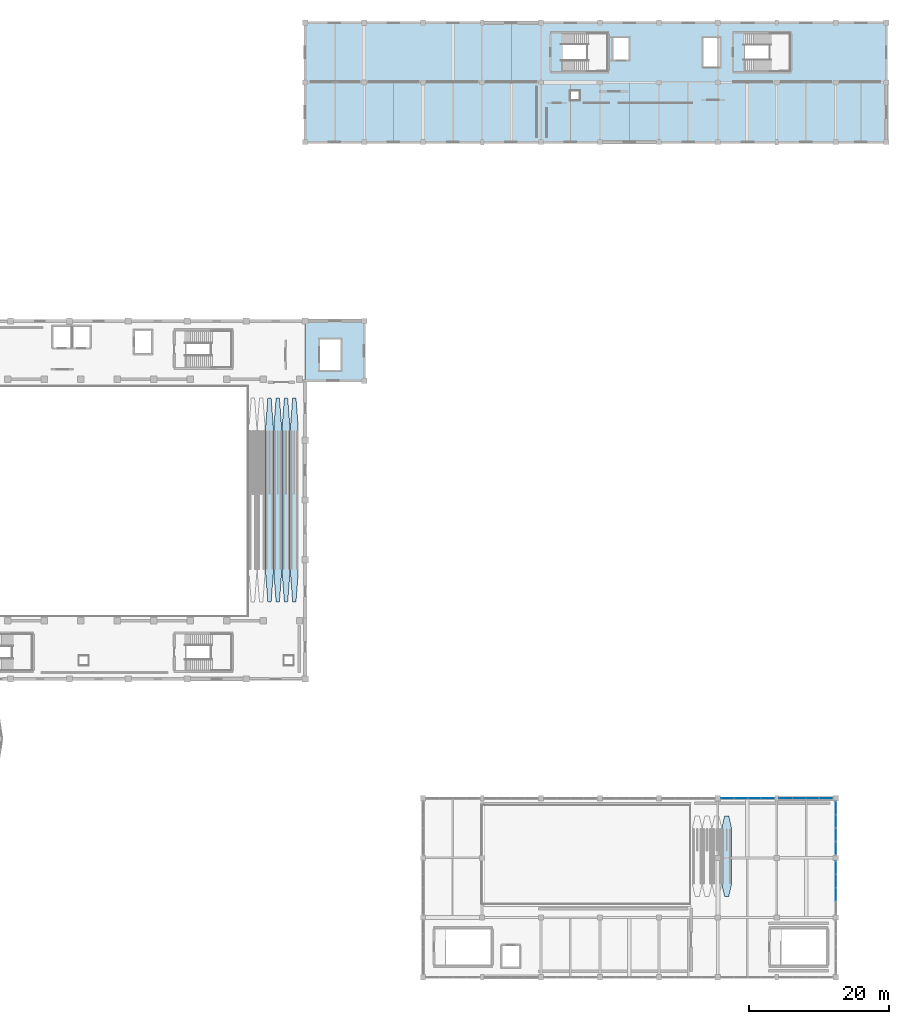
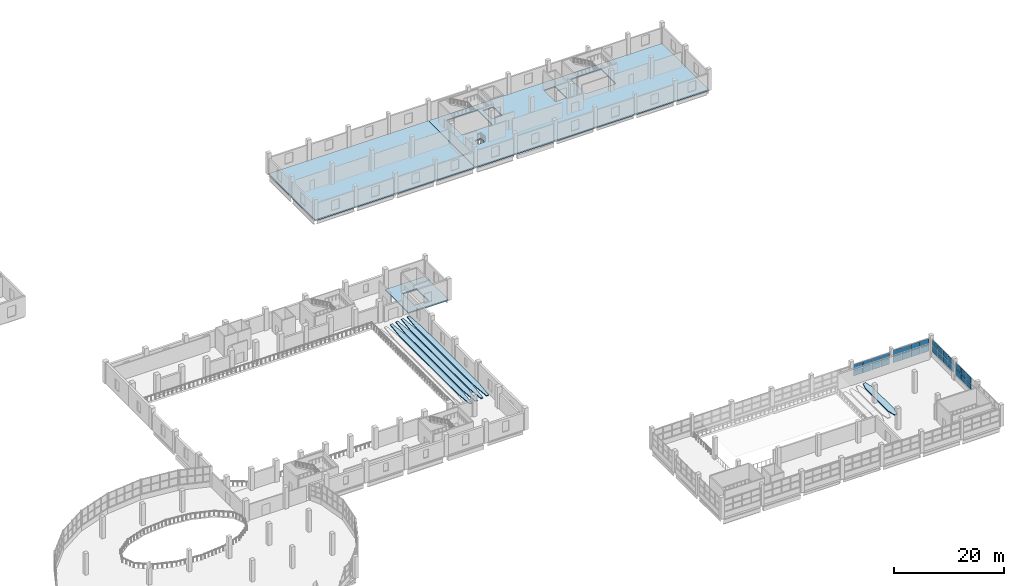
# One storey, part 56 of 77: 30 plates, 8 slabs, 4 elements without a shape of their own.
"""IFC4 building model written with IfcOpenShell, lengths in metres."""

from ifc_helpers import new_model, si_unit, direction, frame, origin, origin_2d, place, context, subcontext, project, spatial, polyline, rectangle, outline, extrude, material, layer, layer_set, type_object, element, aggregate, save


model = new_model("IFC4")

# Units and contexts
model_context = context("Model", 3, precision=1e-05, world=origin(), true_north=direction((0.0, 1.0)))
body_context = subcontext(model_context, "Body", "Model", "MODEL_VIEW")
ifc_project = project(units=[si_unit("LENGTHUNIT", "METRE"), si_unit("AREAUNIT", "SQUARE_METRE"), si_unit("VOLUMEUNIT", "CUBIC_METRE"), si_unit("PLANEANGLEUNIT", "RADIAN"), si_unit("MASSUNIT", "GRAM", prefix="KILO")], contexts=[model_context])

# Site, building, storey
site_placement = place(None, origin())
site = spatial("IfcSite", under=ifc_project, at=site_placement, CompositionType="ELEMENT")
building_placement = place(site_placement, origin())
building = spatial("IfcBuilding", under=site, at=building_placement, Name="Solvento Point Concert Hall", CompositionType="ELEMENT")
storey_placement = place(building_placement, frame((0.0, 0.0, 10.199951171875)))
storey = spatial("IfcBuildingStorey", under=building, at=storey_placement, Name="L02", CompositionType="ELEMENT", Elevation=10.199951171875)

# Curtain wall, plates
ifc_material_1 = material(Name="Anodized Bronze Aluminium", Category="aluminium")
curtain_wall_type = type_object("IfcCurtainWallType", Name="CurtainWall_ChamberCircle", PredefinedType="USERDEFINED", material=ifc_material_1)
curtain_wall_1_placement = place(storey_placement, origin())
curtain_wall_1 = element("IfcCurtainWall", 1, at=curtain_wall_1_placement, inside=storey, type_object=curtain_wall_type, Name="Unitised curtain wall CW-32 UCW-L02-150", ObjectType="UNITISED CURTAIN WALL", PredefinedType="USERDEFINED")
ifc_material_2 = material(Name="Hurricane Laminated Low-E Glass", Category="glass")
plate_type = type_object("IfcPlateType", Name="CurtainPanel_ChamberCircle", PredefinedType="CURTAIN_PANEL", material=ifc_material_2)
plate_1_placement = place(storey_placement, frame((193.384521484375, 25.5, 1.240234375), z_axis=(0.0, 0.0, 1.0), x_axis=(1.0, 0.0, 0.0)))
plate_1 = element("IfcPlate", 2, at=plate_1_placement, type_object=plate_type, Name="Glazed curtain panel GL-05", PredefinedType="CURTAIN_PANEL", context=body_context, shape_type="SweptSolid", body=[
    extrude(rectangle(XDim=1.798583984375, YDim=0.048095703125, at=origin_2d()), origin(), (0.0, 0.0, 1.0), 1.201904296875),
])
plate_2_placement = place(storey_placement, frame((193.384521484375, 25.5, 2.56201171875), z_axis=(0.0, 0.0, 1.0), x_axis=(1.0, 0.0, 0.0)))
plate_2 = element("IfcPlate", 3, at=plate_2_placement, type_object=plate_type, Name="Glazed curtain panel GL-05", PredefinedType="CURTAIN_PANEL", context=body_context, shape_type="SweptSolid", body=[
    extrude(rectangle(XDim=1.798583984375, YDim=0.048095703125, at=origin_2d()), origin(), (0.0, 0.0, 1.0), 1.201904296875),
])
plate_3_placement = place(storey_placement, frame((195.302978515625, 25.5, 1.240234375), z_axis=(0.0, 0.0, 1.0), x_axis=(1.0, 0.0, 0.0)))
plate_3 = element("IfcPlate", 4, at=plate_3_placement, type_object=plate_type, Name="Glazed curtain panel GL-05", PredefinedType="CURTAIN_PANEL", context=body_context, shape_type="SweptSolid", body=[
    extrude(rectangle(XDim=1.798583984375, YDim=0.048095703125, at=origin_2d()), origin(), (0.0, 0.0, 1.0), 1.201904296875),
])
plate_4_placement = place(storey_placement, frame((195.302978515625, 25.5, 2.56201171875), z_axis=(0.0, 0.0, 1.0), x_axis=(1.0, 0.0, 0.0)))
plate_4 = element("IfcPlate", 5, at=plate_4_placement, type_object=plate_type, Name="Glazed curtain panel GL-05", PredefinedType="CURTAIN_PANEL", context=body_context, shape_type="SweptSolid", body=[
    extrude(rectangle(XDim=1.798583984375, YDim=0.048095703125, at=origin_2d()), origin(), (0.0, 0.0, 1.0), 1.201904296875),
])
plate_5_placement = place(storey_placement, frame((197.221923828125, 25.5, 1.240234375), z_axis=(0.0, 0.0, 1.0), x_axis=(1.0, 0.0, 0.0)))
plate_5 = element("IfcPlate", 6, at=plate_5_placement, type_object=plate_type, Name="Glazed curtain panel GL-05", PredefinedType="CURTAIN_PANEL", context=body_context, shape_type="SweptSolid", body=[
    extrude(rectangle(XDim=1.798583984375, YDim=0.048095703125, at=origin_2d()), origin(), (0.0, 0.0, 1.0), 1.201904296875),
])
plate_6_placement = place(storey_placement, frame((197.221923828125, 25.5, 2.56201171875), z_axis=(0.0, 0.0, 1.0), x_axis=(1.0, 0.0, 0.0)))
plate_6 = element("IfcPlate", 7, at=plate_6_placement, type_object=plate_type, Name="Glazed curtain panel GL-05", PredefinedType="CURTAIN_PANEL", context=body_context, shape_type="SweptSolid", body=[
    extrude(rectangle(XDim=1.798583984375, YDim=0.048095703125, at=origin_2d()), origin(), (0.0, 0.0, 1.0), 1.201904296875),
])
plate_7_placement = place(storey_placement, frame((199.140625, 25.5, 1.240234375), z_axis=(0.0, 0.0, 1.0), x_axis=(1.0, 0.0, 0.0)))
plate_7 = element("IfcPlate", 8, at=plate_7_placement, type_object=plate_type, Name="Glazed curtain panel GL-05", PredefinedType="CURTAIN_PANEL", context=body_context, shape_type="SweptSolid", body=[
    extrude(rectangle(XDim=1.798583984375, YDim=0.048095703125, at=origin_2d()), origin(), (0.0, 0.0, 1.0), 1.201904296875),
])
plate_8_placement = place(storey_placement, frame((199.140625, 25.5, 2.56201171875), z_axis=(0.0, 0.0, 1.0), x_axis=(1.0, 0.0, 0.0)))
plate_8 = element("IfcPlate", 9, at=plate_8_placement, type_object=plate_type, Name="Glazed curtain panel GL-05", PredefinedType="CURTAIN_PANEL", context=body_context, shape_type="SweptSolid", body=[
    extrude(rectangle(XDim=1.798583984375, YDim=0.048095703125, at=origin_2d()), origin(), (0.0, 0.0, 1.0), 1.201904296875),
])
aggregate(curtain_wall_1, [plate_1, plate_2, plate_3, plate_4, plate_5, plate_6, plate_7, plate_8])

curtain_wall_2_placement = place(storey_placement, origin())
curtain_wall_2 = element("IfcCurtainWall", 10, at=curtain_wall_2_placement, inside=storey, type_object=curtain_wall_type, Name="Unitised curtain wall CW-32 UCW-L02-151", ObjectType="UNITISED CURTAIN WALL", PredefinedType="USERDEFINED")
plate_9_placement = place(storey_placement, frame((201.659423828125, 25.5, 1.240234375), z_axis=(0.0, 0.0, 1.0), x_axis=(1.0, 0.0, 0.0)))
plate_9 = element("IfcPlate", 11, at=plate_9_placement, type_object=plate_type, Name="Glazed curtain panel GL-05", PredefinedType="CURTAIN_PANEL", context=body_context, shape_type="SweptSolid", body=[
    extrude(rectangle(XDim=1.798828125, YDim=0.048095703125, at=origin_2d()), origin(), (0.0, 0.0, 1.0), 1.347900390625),
])
plate_10_placement = place(storey_placement, frame((201.659423828125, 25.5, 2.7080078125), z_axis=(0.0, 0.0, 1.0), x_axis=(1.0, 0.0, 0.0)))
plate_10 = element("IfcPlate", 12, at=plate_10_placement, type_object=plate_type, Name="Glazed curtain panel GL-05", PredefinedType="CURTAIN_PANEL", context=body_context, shape_type="SweptSolid", body=[
    extrude(rectangle(XDim=1.798828125, YDim=0.048095703125, at=origin_2d()), origin(), (0.0, 0.0, 1.0), 1.347900390625),
])
plate_11_placement = place(storey_placement, frame((203.578125, 25.5, 1.240234375), z_axis=(0.0, 0.0, 1.0), x_axis=(1.0, 0.0, 0.0)))
plate_11 = element("IfcPlate", 13, at=plate_11_placement, type_object=plate_type, Name="Glazed curtain panel GL-05", PredefinedType="CURTAIN_PANEL", context=body_context, shape_type="SweptSolid", body=[
    extrude(rectangle(XDim=1.798828125, YDim=0.048095703125, at=origin_2d()), origin(), (0.0, 0.0, 1.0), 1.347900390625),
])
plate_12_placement = place(storey_placement, frame((203.578125, 25.5, 2.7080078125), z_axis=(0.0, 0.0, 1.0), x_axis=(1.0, 0.0, 0.0)))
plate_12 = element("IfcPlate", 14, at=plate_12_placement, type_object=plate_type, Name="Glazed curtain panel GL-05", PredefinedType="CURTAIN_PANEL", context=body_context, shape_type="SweptSolid", body=[
    extrude(rectangle(XDim=1.798828125, YDim=0.048095703125, at=origin_2d()), origin(), (0.0, 0.0, 1.0), 1.347900390625),
])
plate_13_placement = place(storey_placement, frame((205.496826171875, 25.5, 1.240234375), z_axis=(0.0, 0.0, 1.0), x_axis=(1.0, 0.0, 0.0)))
plate_13 = element("IfcPlate", 15, at=plate_13_placement, type_object=plate_type, Name="Glazed curtain panel GL-05", PredefinedType="CURTAIN_PANEL", context=body_context, shape_type="SweptSolid", body=[
    extrude(rectangle(XDim=1.798828125, YDim=0.048095703125, at=origin_2d()), origin(), (0.0, 0.0, 1.0), 1.347900390625),
])
plate_14_placement = place(storey_placement, frame((205.496826171875, 25.5, 2.7080078125), z_axis=(0.0, 0.0, 1.0), x_axis=(1.0, 0.0, 0.0)))
plate_14 = element("IfcPlate", 16, at=plate_14_placement, type_object=plate_type, Name="Glazed curtain panel GL-05", PredefinedType="CURTAIN_PANEL", context=body_context, shape_type="SweptSolid", body=[
    extrude(rectangle(XDim=1.798828125, YDim=0.048095703125, at=origin_2d()), origin(), (0.0, 0.0, 1.0), 1.347900390625),
])
plate_15_placement = place(storey_placement, frame((207.41552734375, 25.5, 1.240234375), z_axis=(0.0, 0.0, 1.0), x_axis=(1.0, 0.0, 0.0)))
plate_15 = element("IfcPlate", 17, at=plate_15_placement, type_object=plate_type, Name="Glazed curtain panel GL-05", PredefinedType="CURTAIN_PANEL", context=body_context, shape_type="SweptSolid", body=[
    extrude(rectangle(XDim=1.798828125, YDim=0.048095703125, at=origin_2d()), origin(), (0.0, 0.0, 1.0), 1.347900390625),
])
plate_16_placement = place(storey_placement, frame((207.41552734375, 25.5, 2.7080078125), z_axis=(0.0, 0.0, 1.0), x_axis=(1.0, 0.0, 0.0)))
plate_16 = element("IfcPlate", 18, at=plate_16_placement, type_object=plate_type, Name="Glazed curtain panel GL-05", PredefinedType="CURTAIN_PANEL", context=body_context, shape_type="SweptSolid", body=[
    extrude(rectangle(XDim=1.798828125, YDim=0.048095703125, at=origin_2d()), origin(), (0.0, 0.0, 1.0), 1.347900390625),
])
aggregate(curtain_wall_2, [plate_9, plate_10, plate_11, plate_12, plate_13, plate_14, plate_15, plate_16])

curtain_wall_3_placement = place(storey_placement, origin())
curtain_wall_3 = element("IfcCurtainWall", 19, at=curtain_wall_3_placement, inside=storey, type_object=curtain_wall_type, Name="Unitised curtain wall CW-32 UCW-L02-153", ObjectType="UNITISED CURTAIN WALL", PredefinedType="USERDEFINED")
plate_17_placement = place(storey_placement, frame((208.800048828125, 11.793701171875, 1.240234375), z_axis=(0.0, 0.0, 1.0), x_axis=(0.0, 1.0, 0.0)))
plate_17 = element("IfcPlate", 20, at=plate_17_placement, type_object=plate_type, Name="Glazed curtain panel GL-05", PredefinedType="CURTAIN_PANEL", context=body_context, shape_type="SweptSolid", body=[
    extrude(rectangle(XDim=1.79248046875, YDim=0.048095703125, at=origin_2d()), origin(), (0.0, 0.0, 1.0), 1.305419921875),
])
plate_18_placement = place(storey_placement, frame((208.800048828125, 11.793701171875, 2.66552734375), z_axis=(0.0, 0.0, 1.0), x_axis=(0.0, 1.0, 0.0)))
plate_18 = element("IfcPlate", 21, at=plate_18_placement, type_object=plate_type, Name="Glazed curtain panel GL-05", PredefinedType="CURTAIN_PANEL", context=body_context, shape_type="SweptSolid", body=[
    extrude(rectangle(XDim=1.79248046875, YDim=0.048095703125, at=origin_2d()), origin(), (0.0, 0.0, 1.0), 1.305419921875),
])
plate_19_placement = place(storey_placement, frame((208.800048828125, 13.706298828125, 1.240234375), z_axis=(0.0, 0.0, 1.0), x_axis=(0.0, 1.0, 0.0)))
plate_19 = element("IfcPlate", 22, at=plate_19_placement, type_object=plate_type, Name="Glazed curtain panel GL-05", PredefinedType="CURTAIN_PANEL", context=body_context, shape_type="SweptSolid", body=[
    extrude(rectangle(XDim=1.79248046875, YDim=0.048095703125, at=origin_2d()), origin(), (0.0, 0.0, 1.0), 1.305419921875),
])
plate_20_placement = place(storey_placement, frame((208.800048828125, 13.706298828125, 2.66552734375), z_axis=(0.0, 0.0, 1.0), x_axis=(0.0, 1.0, 0.0)))
plate_20 = element("IfcPlate", 23, at=plate_20_placement, type_object=plate_type, Name="Glazed curtain panel GL-05", PredefinedType="CURTAIN_PANEL", context=body_context, shape_type="SweptSolid", body=[
    extrude(rectangle(XDim=1.79248046875, YDim=0.048095703125, at=origin_2d()), origin(), (0.0, 0.0, 1.0), 1.305419921875),
])
plate_21_placement = place(storey_placement, frame((208.800048828125, 15.61865234375, 1.240234375), z_axis=(0.0, 0.0, 1.0), x_axis=(0.0, 1.0, 0.0)))
plate_21 = element("IfcPlate", 24, at=plate_21_placement, type_object=plate_type, Name="Glazed curtain panel GL-05", PredefinedType="CURTAIN_PANEL", context=body_context, shape_type="SweptSolid", body=[
    extrude(rectangle(XDim=1.79248046875, YDim=0.048095703125, at=origin_2d()), origin(), (0.0, 0.0, 1.0), 1.305419921875),
])
plate_22_placement = place(storey_placement, frame((208.800048828125, 15.61865234375, 2.66552734375), z_axis=(0.0, 0.0, 1.0), x_axis=(0.0, 1.0, 0.0)))
plate_22 = element("IfcPlate", 25, at=plate_22_placement, type_object=plate_type, Name="Glazed curtain panel GL-05", PredefinedType="CURTAIN_PANEL", context=body_context, shape_type="SweptSolid", body=[
    extrude(rectangle(XDim=1.79248046875, YDim=0.048095703125, at=origin_2d()), origin(), (0.0, 0.0, 1.0), 1.305419921875),
])
aggregate(curtain_wall_3, [plate_17, plate_18, plate_19, plate_20, plate_21, plate_22])

curtain_wall_4_placement = place(storey_placement, origin())
curtain_wall_4 = element("IfcCurtainWall", 26, at=curtain_wall_4_placement, inside=storey, type_object=curtain_wall_type, Name="Unitised curtain wall CW-32 UCW-L02-154", ObjectType="UNITISED CURTAIN WALL", PredefinedType="USERDEFINED")
plate_23_placement = place(storey_placement, frame((208.800048828125, 18.38134765625, 1.239990234375), z_axis=(0.0, 0.0, 1.0), x_axis=(0.0, 1.0, 0.0)))
plate_23 = element("IfcPlate", 27, at=plate_23_placement, type_object=plate_type, Name="Glazed curtain panel GL-05", PredefinedType="CURTAIN_PANEL", context=body_context, shape_type="SweptSolid", body=[
    extrude(rectangle(XDim=1.79248046875, YDim=0.048095703125, at=origin_2d()), origin(), (0.0, 0.0, 1.0), 1.26708984375),
])
plate_24_placement = place(storey_placement, frame((208.800048828125, 18.38134765625, 2.626953125), z_axis=(0.0, 0.0, 1.0), x_axis=(0.0, 1.0, 0.0)))
plate_24 = element("IfcPlate", 28, at=plate_24_placement, type_object=plate_type, Name="Glazed curtain panel GL-05", PredefinedType="CURTAIN_PANEL", context=body_context, shape_type="SweptSolid", body=[
    extrude(rectangle(XDim=1.79248046875, YDim=0.048095703125, at=origin_2d()), origin(), (0.0, 0.0, 1.0), 1.26708984375),
])
plate_25_placement = place(storey_placement, frame((208.800048828125, 20.293701171875, 1.239990234375), z_axis=(0.0, 0.0, 1.0), x_axis=(0.0, 1.0, 0.0)))
plate_25 = element("IfcPlate", 29, at=plate_25_placement, type_object=plate_type, Name="Glazed curtain panel GL-05", PredefinedType="CURTAIN_PANEL", context=body_context, shape_type="SweptSolid", body=[
    extrude(rectangle(XDim=1.79248046875, YDim=0.048095703125, at=origin_2d()), origin(), (0.0, 0.0, 1.0), 1.26708984375),
])
plate_26_placement = place(storey_placement, frame((208.800048828125, 20.293701171875, 2.626953125), z_axis=(0.0, 0.0, 1.0), x_axis=(0.0, 1.0, 0.0)))
plate_26 = element("IfcPlate", 30, at=plate_26_placement, type_object=plate_type, Name="Glazed curtain panel GL-05", PredefinedType="CURTAIN_PANEL", context=body_context, shape_type="SweptSolid", body=[
    extrude(rectangle(XDim=1.79248046875, YDim=0.048095703125, at=origin_2d()), origin(), (0.0, 0.0, 1.0), 1.26708984375),
])
plate_27_placement = place(storey_placement, frame((208.800048828125, 22.206298828125, 1.239990234375), z_axis=(0.0, 0.0, 1.0), x_axis=(0.0, 1.0, 0.0)))
plate_27 = element("IfcPlate", 31, at=plate_27_placement, type_object=plate_type, Name="Glazed curtain panel GL-05", PredefinedType="CURTAIN_PANEL", context=body_context, shape_type="SweptSolid", body=[
    extrude(rectangle(XDim=1.79248046875, YDim=0.048095703125, at=origin_2d()), origin(), (0.0, 0.0, 1.0), 1.26708984375),
])
plate_28_placement = place(storey_placement, frame((208.800048828125, 22.206298828125, 2.626953125), z_axis=(0.0, 0.0, 1.0), x_axis=(0.0, 1.0, 0.0)))
plate_28 = element("IfcPlate", 32, at=plate_28_placement, type_object=plate_type, Name="Glazed curtain panel GL-05", PredefinedType="CURTAIN_PANEL", context=body_context, shape_type="SweptSolid", body=[
    extrude(rectangle(XDim=1.79248046875, YDim=0.048095703125, at=origin_2d()), origin(), (0.0, 0.0, 1.0), 1.26708984375),
])
plate_29_placement = place(storey_placement, frame((208.800048828125, 24.11865234375, 1.239990234375), z_axis=(0.0, 0.0, 1.0), x_axis=(0.0, 1.0, 0.0)))
plate_29 = element("IfcPlate", 33, at=plate_29_placement, type_object=plate_type, Name="Glazed curtain panel GL-05", PredefinedType="CURTAIN_PANEL", context=body_context, shape_type="SweptSolid", body=[
    extrude(rectangle(XDim=1.79248046875, YDim=0.048095703125, at=origin_2d()), origin(), (0.0, 0.0, 1.0), 1.26708984375),
])
plate_30_placement = place(storey_placement, frame((208.800048828125, 24.11865234375, 2.626953125), z_axis=(0.0, 0.0, 1.0), x_axis=(0.0, 1.0, 0.0)))
plate_30 = element("IfcPlate", 34, at=plate_30_placement, type_object=plate_type, Name="Glazed curtain panel GL-05", PredefinedType="CURTAIN_PANEL", context=body_context, shape_type="SweptSolid", body=[
    extrude(rectangle(XDim=1.79248046875, YDim=0.048095703125, at=origin_2d()), origin(), (0.0, 0.0, 1.0), 1.26708984375),
])
aggregate(curtain_wall_4, [plate_23, plate_24, plate_25, plate_26, plate_27, plate_28, plate_29, plate_30])

# Slabs
ifc_material_3 = material(Name="Concrete C35/45", Category="concrete")
ifc_layer_1 = layer(ifc_material_3, 0.27001953125)
ifc_layer_set_1 = layer_set([ifc_layer_1], Name="Concrete C35/45")
slab_type_1 = type_object("IfcSlabType", Name="FloorSlab_270", PredefinedType="FLOOR", material=ifc_layer_set_1)
slab_1_placement = place(storey_placement, frame((0.0, 0.0, -0.27001953125)))
element("IfcSlab", 35, at=slab_1_placement, inside=storey, type_object=slab_type_1, Name="Structural slab SL-L02 SLAB-L02-V5K", PredefinedType="FLOOR", context=body_context, shape_type="SweptSolid", body=[
    extrude(outline(polyline([(133.199951171875, 136.0), (166.800048828125, 136.0), (166.800048828125, 119.0), (133.199951171875, 119.0), (133.199951171875, 136.0)])), origin(), (0.0, 0.0, 1.0), 0.27001953125),
])
slab_2_placement = place(storey_placement, frame((0.0, 0.0, -0.27001953125)))
element("IfcSlab", 36, at=slab_2_placement, inside=storey, type_object=slab_type_1, Name="Structural slab SL-L02 SLAB-L02-V5N", PredefinedType="FLOOR", context=body_context, shape_type="SweptSolid", body=[
    extrude(outline(polyline([(166.800048828125, 136.0), (216.0, 136.0), (216.0, 119.0), (166.800048828125, 119.0), (166.800048828125, 136.0)]), holes=[polyline([(202.300048828125, 129.10009765625), (202.300048828125, 134.5), (195.85009765625, 134.5), (195.85009765625, 129.10009765625), (202.300048828125, 129.10009765625)]), polyline([(192.280029296875, 133.8798828125), (189.919921875, 133.8798828125), (189.919921875, 129.719970703125), (192.280029296875, 129.719970703125), (192.280029296875, 133.8798828125)]), polyline([(179.280029296875, 130.719970703125), (179.280029296875, 133.8798828125), (177.1201171875, 133.8798828125), (177.1201171875, 130.719970703125), (179.280029296875, 130.719970703125)]), polyline([(176.300048828125, 129.10009765625), (176.300048828125, 134.5), (169.85009765625, 134.5), (169.85009765625, 129.10009765625), (176.300048828125, 129.10009765625)]), polyline([(172.300048828125, 125.0), (172.300048828125, 126.300048828125), (171.0, 126.300048828125), (171.0, 125.0), (172.300048828125, 125.0)])]), origin(), (0.0, 0.0, 1.0), 0.27001953125),
])
slab_3_placement = place(storey_placement, frame((0.0, 0.0, -0.27001953125)))
element("IfcSlab", 37, at=slab_3_placement, inside=storey, type_object=slab_type_1, Name="Structural slab SL-L02 SLAB-L02-V5M", PredefinedType="FLOOR", context=body_context, shape_type="SweptSolid", body=[
    extrude(outline(polyline([(133.199951171875, 93.5), (141.60009765625, 93.5), (141.60009765625, 85.0), (133.199951171875, 85.0), (133.199951171875, 93.5)]), holes=[polyline([(138.280029296875, 90.8798828125), (135.320068359375, 90.8798828125), (135.320068359375, 86.52001953125), (138.280029296875, 86.52001953125), (138.280029296875, 90.8798828125)])]), origin(), (0.0, 0.0, 1.0), 0.27001953125),
])
ifc_material_4 = material(Name="Concrete C35/45", Category="concrete")
ifc_layer_2 = layer(ifc_material_4, 0.169921875)
ifc_layer_set_2 = layer_set([ifc_layer_2], Name="Concrete C35/45")
slab_type_2 = type_object("IfcSlabType", Name="SeatingTier_175", PredefinedType="USERDEFINED", material=ifc_layer_set_2)
slab_4_placement = place(storey_placement, frame((0.0, 0.0, 0.75)))
element("IfcSlab", 38, at=slab_4_placement, inside=storey, type_object=slab_type_2, Name="Stand chamber balcony tier row 4", ObjectType="SEATING TIER", PredefinedType="USERDEFINED", context=body_context, shape_type="SweptSolid", body=[
    extrude(outline(polyline([(192.969482421875, 11.5), (193.55029296875, 11.5), (193.919921875, 13.110107421875), (193.919921875, 21.389892578125), (193.55029296875, 23.0), (192.969482421875, 23.0), (192.60009765625, 21.389892578125), (192.60009765625, 13.110107421875), (192.969482421875, 11.5)])), origin(), (0.0, 0.0, 1.0), 0.170166015625),
])
ifc_material_5 = material(Name="Concrete C35/45", Category="concrete")
ifc_layer_3 = layer(ifc_material_5, 0.18994140625)
ifc_layer_set_3 = layer_set([ifc_layer_3], Name="Concrete C35/45")
slab_type_3 = type_object("IfcSlabType", Name="SeatingTier_190", PredefinedType="USERDEFINED", material=ifc_layer_set_3)
slab_5_placement = place(storey_placement, frame((0.0, 0.0, 0.550048828125)))
element("IfcSlab", 39, at=slab_5_placement, inside=storey, type_object=slab_type_3, Name="Stand parterre tier row 3", ObjectType="SEATING TIER", PredefinedType="USERDEFINED", context=body_context, shape_type="SweptSolid", body=[
    extrude(outline(polyline([(127.867919921875, 53.5), (128.35205078125, 53.5), (128.659912109375, 57.56005859375), (128.659912109375, 78.43994140625), (128.35205078125, 82.5), (127.867919921875, 82.5), (127.56005859375, 78.43994140625), (127.56005859375, 57.56005859375), (127.867919921875, 53.5)])), origin(), (0.0, 0.0, 1.0), 0.18994140625),
])
slab_6_placement = place(storey_placement, frame((0.0, 0.0, 0.72998046875)))
element("IfcSlab", 40, at=slab_6_placement, inside=storey, type_object=slab_type_3, Name="Stand parterre tier row 4", ObjectType="SEATING TIER", PredefinedType="USERDEFINED", context=body_context, shape_type="SweptSolid", body=[
    extrude(outline(polyline([(129.048095703125, 53.5), (129.531982421875, 53.5), (129.840087890625, 57.56005859375), (129.840087890625, 78.43994140625), (129.531982421875, 82.5), (129.048095703125, 82.5), (128.739990234375, 78.43994140625), (128.739990234375, 57.56005859375), (129.048095703125, 53.5)])), origin(), (0.0, 0.0, 1.0), 0.190185546875),
])
slab_7_placement = place(storey_placement, frame((0.0, 0.0, 0.91015625)))
element("IfcSlab", 41, at=slab_7_placement, inside=storey, type_object=slab_type_3, Name="Stand parterre tier row 5", ObjectType="SEATING TIER", PredefinedType="USERDEFINED", context=body_context, shape_type="SweptSolid", body=[
    extrude(outline(polyline([(130.22802734375, 53.5), (130.7119140625, 53.5), (131.02001953125, 57.56005859375), (131.02001953125, 78.43994140625), (130.7119140625, 82.5), (130.22802734375, 82.5), (129.919921875, 78.43994140625), (129.919921875, 57.56005859375), (130.22802734375, 53.5)])), origin(), (0.0, 0.0, 1.0), 0.18994140625),
])
slab_8_placement = place(storey_placement, frame((0.0, 0.0, 1.090087890625)))
element("IfcSlab", 42, at=slab_8_placement, inside=storey, type_object=slab_type_3, Name="Stand parterre tier row 6", ObjectType="SEATING TIER", PredefinedType="USERDEFINED", context=body_context, shape_type="SweptSolid", body=[
    extrude(outline(polyline([(131.407958984375, 53.5), (131.89208984375, 53.5), (132.199951171875, 57.56005859375), (132.199951171875, 78.43994140625), (131.89208984375, 82.5), (131.407958984375, 82.5), (131.10009765625, 78.43994140625), (131.10009765625, 57.56005859375), (131.407958984375, 53.5)])), origin(), (0.0, 0.0, 1.0), 0.18994140625),
])

save(model, "model.ifc")
